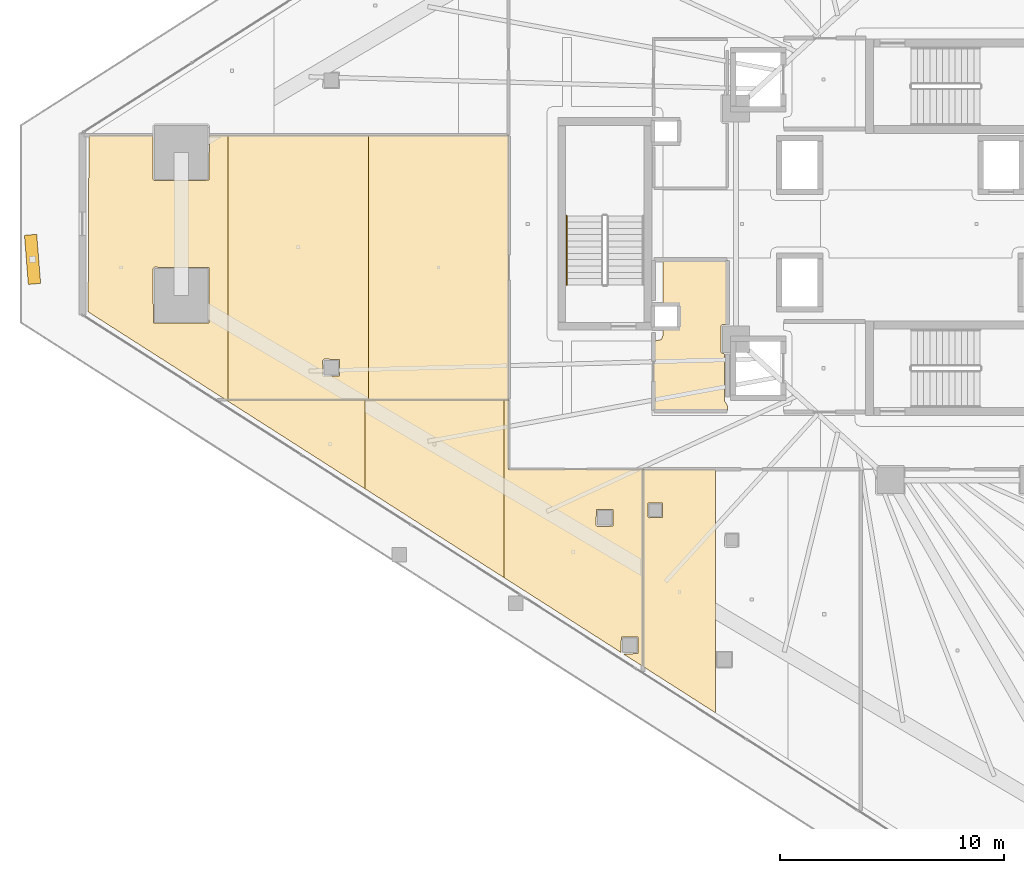
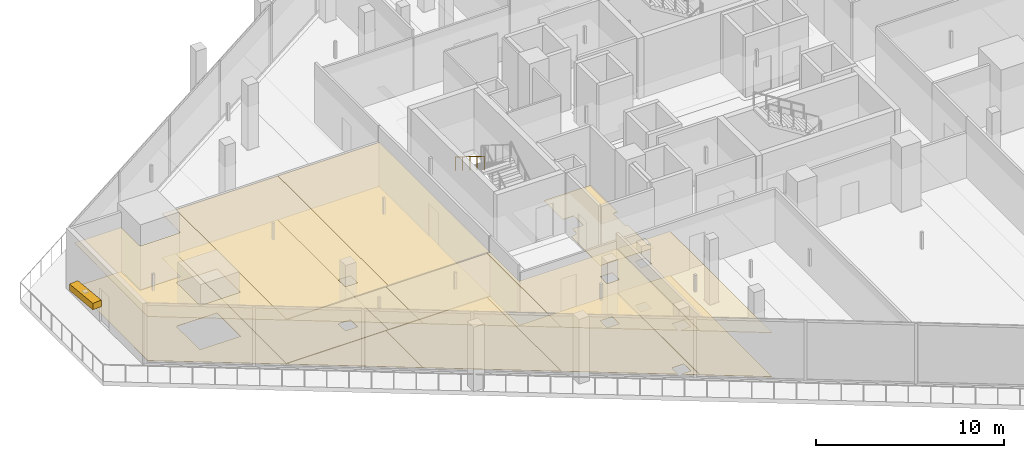
# One storey, part 36 of 44: 15 coverings, 1 railing, 1 shading device.
"""IFC4 building model written with IfcOpenShell, lengths in metres."""

from ifc_helpers import new_model, si_unit, direction, frame, origin, origin_2d, place, context, subcontext, project, spatial, polyline, rectangle, circle, outline, extrude, material, layer, layer_set, type_object, element, save


model = new_model("IFC4")

# Units and contexts
model_context = context("Model", 3, precision=1e-05, world=origin(), true_north=direction((0.0, 1.0)))
body_context = subcontext(model_context, "Body", "Model", "MODEL_VIEW")
ifc_project = project(units=[si_unit("LENGTHUNIT", "METRE"), si_unit("AREAUNIT", "SQUARE_METRE"), si_unit("VOLUMEUNIT", "CUBIC_METRE"), si_unit("PLANEANGLEUNIT", "RADIAN"), si_unit("MASSUNIT", "GRAM", prefix="KILO")], contexts=[model_context])

# Site, building, storey
site_placement = place(None, origin())
site = spatial("IfcSite", under=ifc_project, at=site_placement, CompositionType="ELEMENT")
building_placement = place(site_placement, origin())
building = spatial("IfcBuilding", under=site, at=building_placement, Name="Qorvath Tower", CompositionType="ELEMENT")
storey_placement = place(building_placement, frame((0.0, 0.0, 70.199951171875)))
storey = spatial("IfcBuildingStorey", under=building, at=storey_placement, Name="L15", CompositionType="ELEMENT", Elevation=70.199951171875)

# Coverings
ifc_material_1 = material(Name="Acoustic mineral fibre ceiling tile", Category="gypsum")
ifc_layer_1 = layer(ifc_material_1, 0.030029296875)
ifc_layer_set_1 = layer_set([ifc_layer_1], Name="COV-CEIL")
covering_type_1 = type_object("IfcCoveringType", Name="COV-CEIL", PredefinedType="CEILING", material=ifc_layer_set_1)
covering_1_placement = place(storey_placement, frame((0.0, 0.0, 2.85009765625)))
element("IfcCovering", 1, at=covering_1_placement, inside=storey, type_object=covering_type_1, Name="L15 Suspended Acoustic Ceiling 019", PredefinedType="CEILING", context=body_context, shape_type="SweptSolid", body=[
    extrude(outline(polyline([(-34.64501953125, -10.962890625), (-34.64501953125, -19.77587890625), (-31.40869140625, -21.84423828125), (-31.40869140625, -10.962890625), (-34.64501953125, -10.962890625)]), holes=[polyline([(-34.439208984375, -13.0673828125), (-34.421630859375, -12.47509765625), (-33.786865234375, -12.47509765625), (-33.786865234375, -13.10986328125), (-34.379150390625, -13.12744140625), (-34.439208984375, -13.0673828125)])]), origin(), (0.0, 0.0, 1.0), 0.030029296875),
])
covering_2_placement = place(storey_placement, frame((0.0, 0.0, 2.85009765625)))
element("IfcCovering", 2, at=covering_2_placement, inside=storey, type_object=covering_type_1, Name="L15 Suspended Acoustic Ceiling 034", PredefinedType="CEILING", context=body_context, shape_type="SweptSolid", body=[
    extrude(outline(polyline([(-47.077880859375, -11.82958984375), (-47.077880859375, -7.862060546875), (-53.285400390625, -7.862060546875), (-47.077880859375, -11.82958984375)])), origin(), (0.0, 0.0, 1.0), 0.030029296875),
])
covering_3_placement = place(storey_placement, frame((0.0, 0.0, 2.85009765625)))
element("IfcCovering", 3, at=covering_3_placement, inside=storey, type_object=covering_type_1, Name="L15 Suspended Acoustic Ceiling 035", PredefinedType="CEILING", context=body_context, shape_type="SweptSolid", body=[
    extrude(outline(polyline([(-40.870361328125, -15.796875), (-40.870361328125, -7.862060546875), (-47.077880859375, -7.862060546875), (-47.077880859375, -11.82958984375), (-40.870361328125, -15.796875)])), origin(), (0.0, 0.0, 1.0), 0.030029296875),
])
covering_4_placement = place(storey_placement, frame((0.0, 0.0, 2.85009765625)))
element("IfcCovering", 4, at=covering_4_placement, inside=storey, type_object=covering_type_1, Name="L15 Suspended Acoustic Ceiling 036", PredefinedType="CEILING", context=body_context, shape_type="SweptSolid", body=[
    extrude(outline(polyline([(-40.6630859375, -7.862060546875), (-40.870361328125, -7.862060546875), (-40.870361328125, -15.796875), (-35.63671875, -19.141845703125), (-35.619140625, -18.4619140625), (-34.88427734375, -18.4619140625), (-34.88427734375, -19.19677734375), (-35.5234375, -19.21435546875), (-34.6630859375, -19.764404296875), (-34.6630859375, -10.962890625), (-40.66162109375, -10.96142578125), (-40.6630859375, -7.862060546875)]), holes=[polyline([(-36.749755859375, -13.46044921875), (-36.732177734375, -12.76806640625), (-35.997314453125, -12.76806640625), (-35.997314453125, -13.5029296875), (-36.689697265625, -13.5205078125), (-36.749755859375, -13.46044921875)])]), origin(), (0.0, 0.0, 1.0), 0.030029296875),
])
covering_5_placement = place(storey_placement, frame((0.0, 0.0, 2.85009765625)))
element("IfcCovering", 5, at=covering_5_placement, inside=storey, type_object=covering_type_1, Name="L15 Suspended Acoustic Ceiling 037", PredefinedType="CEILING", context=body_context, shape_type="SweptSolid", body=[
    extrude(outline(polyline([(-59.404052734375, 3.951416015625), (-59.44189453125, -3.92724609375), (-53.3134765625, -7.84423828125), (-53.182373046875, -7.84423828125), (-53.182373046875, 3.951416015625), (-54.02294921875, 3.951416015625), (-54.04052734375, 1.9521484375), (-56.48291015625, 1.9345703125), (-56.54296875, 1.994384765625), (-56.54296875, 3.951416015625), (-59.404052734375, 3.951416015625)]), holes=[polyline([(-56.54296875, -1.994384765625), (-56.48291015625, -1.9345703125), (-54.04052734375, -1.9521484375), (-54.04052734375, -4.43701171875), (-56.525390625, -4.43701171875), (-56.54296875, -1.994384765625)])]), origin(), (0.0, 0.0, 1.0), 0.030029296875),
])
covering_6_placement = place(storey_placement, frame((0.0, 0.0, 2.85009765625)))
element("IfcCovering", 6, at=covering_6_placement, inside=storey, type_object=covering_type_1, Name="L15 Suspended Acoustic Ceiling 038", PredefinedType="CEILING", context=body_context, shape_type="SweptSolid", body=[
    extrude(outline(polyline([(-53.182373046875, 3.951416015625), (-53.182373046875, -7.84423828125), (-46.922607421875, -7.84423828125), (-46.922607421875, 3.951416015625), (-53.182373046875, 3.951416015625)]), holes=[polyline([(-48.96337890625, -6.099609375), (-48.9033203125, -6.03955078125), (-48.2109375, -6.05712890625), (-48.2109375, -6.7919921875), (-48.94580078125, -6.7919921875), (-48.96337890625, -6.099609375)])]), origin(), (0.0, 0.0, 1.0), 0.030029296875),
])
covering_7_placement = place(storey_placement, frame((0.0, 0.0, 2.85009765625)))
element("IfcCovering", 7, at=covering_7_placement, inside=storey, type_object=covering_type_1, Name="L15 Suspended Acoustic Ceiling 039", PredefinedType="CEILING", context=body_context, shape_type="SweptSolid", body=[
    extrude(outline(polyline([(-46.922607421875, 3.951416015625), (-46.922607421875, -7.84423828125), (-40.6630859375, -7.84423828125), (-40.6630859375, 3.951416015625), (-46.922607421875, 3.951416015625)])), origin(), (0.0, 0.0, 1.0), 0.030029296875),
])
ifc_material_2 = material(Name="Low-VOC modular carpet tile", Category="textile")
ifc_layer_2 = layer(ifc_material_2, 0.014892578125)
ifc_layer_set_2 = layer_set([ifc_layer_2], Name="COV-FLOOR-CPT")
covering_type_2 = type_object("IfcCoveringType", Name="COV-FLOOR-CPT", PredefinedType="FLOORING", material=ifc_layer_set_2)
covering_8_placement = place(storey_placement, origin())
element("IfcCovering", 8, at=covering_8_placement, inside=storey, type_object=covering_type_2, Name="L15 Floor Finish 004", PredefinedType="FLOORING", context=body_context, shape_type="SweptSolid", body=[
    extrude(outline(polyline([(-30.885009765625, -1.60498046875), (-33.760009765625, -1.60498046875), (-33.760009765625, -3.636962890625), (-33.08837890625, -3.638427734375), (-33.0869140625, -4.6279296875), (-33.760009765625, -4.633056640625), (-33.760009765625, -4.989990234375), (-33.833251953125, -5.166748046875), (-34.175048828125, -5.239990234375), (-34.175048828125, -8.344970703125), (-30.885009765625, -8.344970703125), (-30.885009765625, -8.108154296875), (-31.010009765625, -7.909912109375), (-31.010009765625, -5.81005859375), (-31.159912109375, -5.75), (-31.159912109375, -4.550048828125), (-31.10009765625, -4.489990234375), (-30.885009765625, -4.489990234375), (-30.885009765625, -1.60498046875)])), origin(), (0.0, 0.0, 1.0), 0.01513671875),
])
covering_9_placement = place(storey_placement, origin())
element("IfcCovering", 9, at=covering_9_placement, inside=storey, type_object=covering_type_2, Name="L15 Floor Finish 019", PredefinedType="FLOORING", context=body_context, shape_type="SweptSolid", body=[
    extrude(outline(polyline([(-34.64501953125, -10.962890625), (-34.64501953125, -19.77587890625), (-31.40869140625, -21.84423828125), (-31.40869140625, -10.962890625), (-34.64501953125, -10.962890625)]), holes=[polyline([(-34.439208984375, -13.0673828125), (-34.421630859375, -12.47509765625), (-33.786865234375, -12.47509765625), (-33.786865234375, -13.10986328125), (-34.379150390625, -13.12744140625), (-34.439208984375, -13.0673828125)])]), origin(), (0.0, 0.0, 1.0), 0.01513671875),
])
covering_10_placement = place(storey_placement, origin())
element("IfcCovering", 10, at=covering_10_placement, inside=storey, type_object=covering_type_2, Name="L15 Floor Finish 034", PredefinedType="FLOORING", context=body_context, shape_type="SweptSolid", body=[
    extrude(outline(polyline([(-47.077880859375, -11.82958984375), (-47.077880859375, -7.862060546875), (-53.285400390625, -7.862060546875), (-47.077880859375, -11.82958984375)])), origin(), (0.0, 0.0, 1.0), 0.01513671875),
])
covering_11_placement = place(storey_placement, origin())
element("IfcCovering", 11, at=covering_11_placement, inside=storey, type_object=covering_type_2, Name="L15 Floor Finish 035", PredefinedType="FLOORING", context=body_context, shape_type="SweptSolid", body=[
    extrude(outline(polyline([(-40.870361328125, -15.796875), (-40.870361328125, -7.862060546875), (-47.077880859375, -7.862060546875), (-47.077880859375, -11.82958984375), (-40.870361328125, -15.796875)])), origin(), (0.0, 0.0, 1.0), 0.01513671875),
])
covering_12_placement = place(storey_placement, origin())
element("IfcCovering", 12, at=covering_12_placement, inside=storey, type_object=covering_type_2, Name="L15 Floor Finish 036", PredefinedType="FLOORING", context=body_context, shape_type="SweptSolid", body=[
    extrude(outline(polyline([(-40.6630859375, -7.862060546875), (-40.870361328125, -7.862060546875), (-40.870361328125, -15.796875), (-35.63671875, -19.141845703125), (-35.619140625, -18.4619140625), (-34.88427734375, -18.4619140625), (-34.88427734375, -19.19677734375), (-35.5234375, -19.21435546875), (-34.6630859375, -19.764404296875), (-34.6630859375, -10.962890625), (-40.66162109375, -10.96142578125), (-40.6630859375, -7.862060546875)]), holes=[polyline([(-36.749755859375, -13.46044921875), (-36.732177734375, -12.76806640625), (-35.997314453125, -12.76806640625), (-35.997314453125, -13.5029296875), (-36.689697265625, -13.5205078125), (-36.749755859375, -13.46044921875)])]), origin(), (0.0, 0.0, 1.0), 0.01513671875),
])
covering_13_placement = place(storey_placement, origin())
element("IfcCovering", 13, at=covering_13_placement, inside=storey, type_object=covering_type_2, Name="L15 Floor Finish 037", PredefinedType="FLOORING", context=body_context, shape_type="SweptSolid", body=[
    extrude(outline(polyline([(-59.404052734375, 3.951416015625), (-59.44189453125, -3.92724609375), (-53.3134765625, -7.84423828125), (-53.182373046875, -7.84423828125), (-53.182373046875, 3.951416015625), (-54.02294921875, 3.951416015625), (-54.04052734375, 1.9521484375), (-56.48291015625, 1.9345703125), (-56.54296875, 1.994384765625), (-56.54296875, 3.951416015625), (-59.404052734375, 3.951416015625)]), holes=[polyline([(-56.54296875, -1.994384765625), (-56.48291015625, -1.9345703125), (-54.04052734375, -1.9521484375), (-54.04052734375, -4.43701171875), (-56.525390625, -4.43701171875), (-56.54296875, -1.994384765625)])]), origin(), (0.0, 0.0, 1.0), 0.01513671875),
])
covering_14_placement = place(storey_placement, origin())
element("IfcCovering", 14, at=covering_14_placement, inside=storey, type_object=covering_type_2, Name="L15 Floor Finish 038", PredefinedType="FLOORING", context=body_context, shape_type="SweptSolid", body=[
    extrude(outline(polyline([(-53.182373046875, 3.951416015625), (-53.182373046875, -7.84423828125), (-46.922607421875, -7.84423828125), (-46.922607421875, 3.951416015625), (-53.182373046875, 3.951416015625)]), holes=[polyline([(-48.96337890625, -6.099609375), (-48.9033203125, -6.03955078125), (-48.2109375, -6.05712890625), (-48.2109375, -6.7919921875), (-48.94580078125, -6.7919921875), (-48.96337890625, -6.099609375)])]), origin(), (0.0, 0.0, 1.0), 0.01513671875),
])
covering_15_placement = place(storey_placement, origin())
element("IfcCovering", 15, at=covering_15_placement, inside=storey, type_object=covering_type_2, Name="L15 Floor Finish 039", PredefinedType="FLOORING", context=body_context, shape_type="SweptSolid", body=[
    extrude(outline(polyline([(-46.922607421875, 3.951416015625), (-46.922607421875, -7.84423828125), (-40.6630859375, -7.84423828125), (-40.6630859375, 3.951416015625), (-46.922607421875, 3.951416015625)])), origin(), (0.0, 0.0, 1.0), 0.01513671875),
])

# Railing
ifc_material_3 = material(Name="Brushed stainless steel AISI 304", Category="steel")
railing_type = type_object("IfcRailingType", Name="RL-STR-HND", PredefinedType="HANDRAIL", material=ifc_material_3)
railing_placement = place(storey_placement, frame((-38.06005859375, 0.360107421875, 2.275146484375)))
element("IfcRailing", 16, at=railing_placement, inside=storey, type_object=railing_type, Name="L15 TS3 stair handrail 2", PredefinedType="HANDRAIL", context=body_context, shape_type="SweptSolid", body=[
    extrude(circle(Radius=0.02392578125, at=origin_2d()), frame((0.0, 0.0, 0.8759765625), z_axis=(0.0, -0.848028513186, 0.529950602248), x_axis=(1.0, 0.0, 0.0)), (0.0, 0.0, 1.0), 3.632080078125),
    extrude(circle(Radius=0.02099609375, at=origin_2d()), origin(), (0.0, 0.0, 1.0), 0.851806640625),
    extrude(circle(Radius=0.02099609375, at=origin_2d()), frame((0.0, -0.77001953125, 0.481201171875)), (0.0, 0.0, 1.0), 0.851806640625),
    extrude(circle(Radius=0.02099609375, at=origin_2d()), frame((0.0, -1.5400390625, 0.96240234375)), (0.0, 0.0, 1.0), 0.851806640625),
    extrude(circle(Radius=0.02099609375, at=origin_2d()), frame((0.0, -2.31005859375, 1.443603515625)), (0.0, 0.0, 1.0), 0.851806640625),
    extrude(circle(Radius=0.02099609375, at=origin_2d()), frame((0.0, -3.080078125, 1.9248046875)), (0.0, 0.0, 1.0), 0.851806640625),
])

# Shading device
ifc_material_4 = material(Name="Anodised bronze-champagne aluminium", Category="aluminium")
shading_device_type = type_object("IfcShadingDeviceType", Name="SD-LOUVRE", PredefinedType="JALOUSIE", material=ifc_material_4)
shading_device_placement = place(storey_placement, frame((-61.924560546875, -1.584228515625, 3.500244140625), z_axis=(0.0, 0.0, 1.0), x_axis=(0.079249007853, -0.996854851397, 0.0)))
element("IfcShadingDevice", 17, at=shading_device_placement, inside=storey, type_object=shading_device_type, Name="Sinusoidal Wave Louvre Blade L15-01", PredefinedType="NOTDEFINED", context=body_context, shape_type="SweptSolid", body=[
    extrude(rectangle(XDim=2.199951171875, YDim=0.550048828125, at=origin_2d()), origin(), (0.0, 0.0, 1.0), 0.419921875),
])

save(model, "model.ifc")
